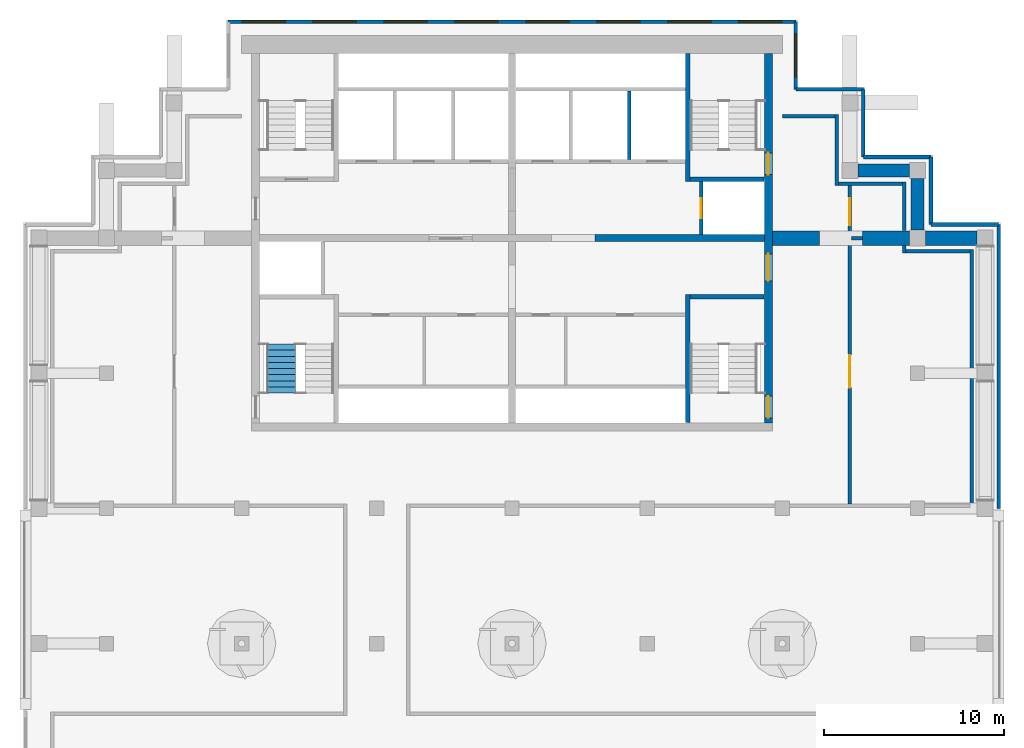
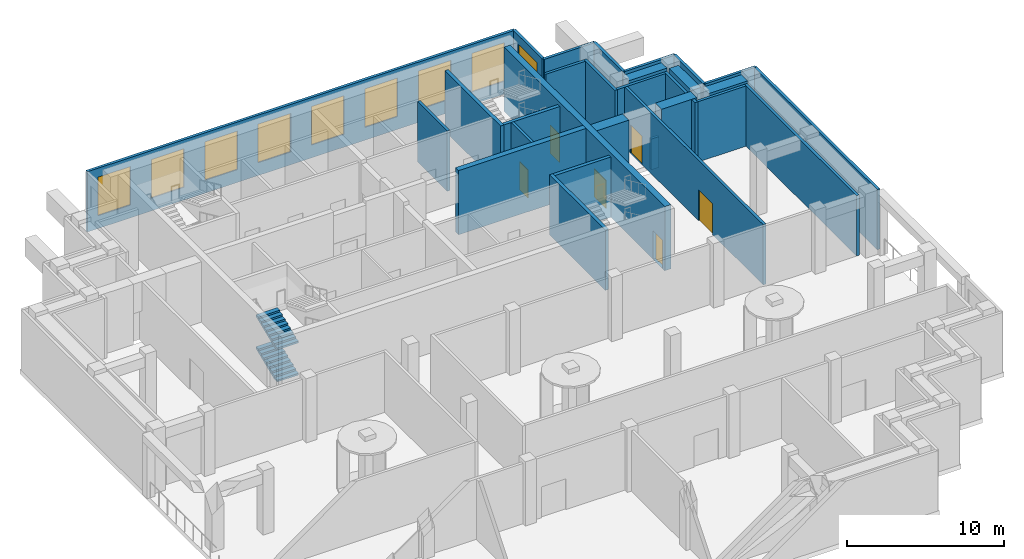
# One storey, part 4 of 8: 30 walls, 9 windows, 6 doors, 2 stair flights, 15 openings, 1 element without a shape of its own.
"""IFC4 building model written with IfcOpenShell, lengths in metres."""

from ifc_helpers import new_model, si_unit, direction, frame, frame_2d, origin, place, context, subcontext, project, spatial, polyline, rectangle, outline, extrude, material, layer, layer_set, type_object, element, fill, aggregate, save


model = new_model("IFC4")

# Units and contexts
model_context = context("Model", 3, precision=1e-05, world=origin(), true_north=direction((0.0, 1.0)))
body_context = subcontext(model_context, "Body", "Model", "MODEL_VIEW")
ifc_project = project(units=[si_unit("LENGTHUNIT", "METRE"), si_unit("AREAUNIT", "SQUARE_METRE"), si_unit("VOLUMEUNIT", "CUBIC_METRE"), si_unit("PLANEANGLEUNIT", "RADIAN"), si_unit("MASSUNIT", "GRAM", prefix="KILO")], contexts=[model_context])

# Site, building, storey
site_placement = place(None, origin())
site = spatial("IfcSite", under=ifc_project, at=site_placement, CompositionType="ELEMENT")
building_placement = place(site_placement, origin())
building = spatial("IfcBuilding", under=site, at=building_placement, Name="Pilkhan Gate Tower", CompositionType="ELEMENT")
storey_placement = place(building_placement, frame((0.0, 0.0, 253.5)))
storey = spatial("IfcBuildingStorey", under=building, at=storey_placement, Name="L66", CompositionType="ELEMENT", Elevation=253.5)

# Walls
ifc_material_1 = material(Name="Concrete C60/75", Category="concrete")
ifc_layer_1 = layer(ifc_material_1, 0.699951171875)
ifc_layer_set_1 = layer_set([ifc_layer_1], Name="Belt wall BW700 C60/75")
wall_type_1 = type_object("IfcWallType", Name="Belt wall BW700 C60/75", PredefinedType="SHEAR", material=ifc_layer_set_1)
for number, where, z_axis, x_axis, name in (
    (1, (94.199951171875, 86.25, 0.0), (0.0, 0.0, 1.0), (1.0, 0.0, 0.0), "Belt wall 20 L66"),
    (2, (97.5, 85.800048828125, 0.0), (0.0, 0.0, 1.0), (0.0, -1.0, 0.0), "Belt wall 21 L66"),
):
    element("IfcWall", number, at=place(storey_placement, frame(where, z_axis=z_axis, x_axis=x_axis)), inside=storey, type_object=wall_type_1, Name=name, PredefinedType="SHEAR", context=body_context, shape_type="SweptSolid", body=[
        extrude(rectangle(XDim=2.85009765625, YDim=0.699951171875, at=frame_2d((1.425048828125, 0.0))), origin(), (0.0, 0.0, 1.0), 4.699951171875),
    ])

# Wall, openings, doors
ifc_material_2 = material(Name="Concrete C50/60", Category="concrete")
ifc_layer_2 = layer(ifc_material_2, 0.449951171875)
ifc_layer_set_2 = layer_set([ifc_layer_2], Name="Core wall CW450 C50/60")
wall_type_2 = type_object("IfcWallType", Name="Core wall CW450 C50/60", PredefinedType="SHEAR", material=ifc_layer_set_2)
wall_1_placement = place(storey_placement, frame((89.22509765625, 72.25, 0.0), z_axis=(0.0, 0.0, 1.0), x_axis=(0.0, 1.0, 0.0)))
wall_1 = element("IfcWall", 3, at=wall_1_placement, inside=storey, type_object=wall_type_2, Name="Core wall E L66", PredefinedType="SHEAR", context=body_context, shape_type="SweptSolid", body=[
    extrude(rectangle(XDim=20.5, YDim=0.449951171875, at=frame_2d((10.25, 0.0))), origin(), (0.0, 0.0, 1.0), 5.0),
])
opening_1_placement = place(wall_1_placement, frame((0.27490234375, 0.0, 0.0)))
opening_1 = element("IfcOpeningElement", 4, at=opening_1_placement, cuts=wall_1, Name="Opening L66-03", PredefinedType="OPENING", context=body_context, shape_type="SweptSolid", body=[
    extrude(rectangle(XDim=1.199951171875, YDim=2.199951171875, at=frame_2d((0.60009765625, 1.10009765625))), frame((0.0, 0.23486328125, 0.0), z_axis=(0.0, -1.0, 0.0), x_axis=(1.0, 0.0, 0.0)), (0.0, 0.0, 1.0), 0.469970703125),
])
opening_2_placement = place(wall_1_placement, frame((13.77490234375, 0.0, 0.0)))
opening_2 = element("IfcOpeningElement", 5, at=opening_2_placement, cuts=wall_1, Name="Opening L66-05", PredefinedType="OPENING", context=body_context, shape_type="SweptSolid", body=[
    extrude(rectangle(XDim=1.199951171875, YDim=2.199951171875, at=frame_2d((0.60009765625, 1.10009765625))), frame((0.0, 0.23486328125, 0.0), z_axis=(0.0, -1.0, 0.0), x_axis=(1.0, 0.0, 0.0)), (0.0, 0.0, 1.0), 0.469970703125),
])
opening_3_placement = place(wall_1_placement, frame((7.875, 0.0, 0.0)))
opening_3 = element("IfcOpeningElement", 6, at=opening_3_placement, cuts=wall_1, Name="Opening L66-08", PredefinedType="OPENING", context=body_context, shape_type="SweptSolid", body=[
    extrude(rectangle(XDim=1.5, YDim=2.199951171875, at=frame_2d((0.75, 1.10009765625))), frame((0.0, 0.23486328125, 0.0), z_axis=(0.0, -1.0, 0.0), x_axis=(1.0, 0.0, 0.0)), (0.0, 0.0, 1.0), 0.469970703125),
])
ifc_material_3 = material(Name="Steel framed glazed door, 60 minute fire resisting", Category="steel")
door_type_1 = type_object("IfcDoorType", Name="Lobby door D09 1500x2200", OperationType="DOUBLE_DOOR_SINGLE_SWING", PredefinedType="DOOR", material=ifc_material_3)
door_1_placement = place(opening_3_placement, origin())
door_1 = element("IfcDoor", 7, at=door_1_placement, inside=storey, type_object=door_type_1, Name="Core door", OperationType="DOUBLE_DOOR_SINGLE_SWING", OverallHeight=2.199951171875, OverallWidth=1.5, PredefinedType="DOOR", context=body_context, shape_type="SweptSolid", body=[
    extrude(rectangle(XDim=1.5, YDim=2.199951171875, at=frame_2d((0.75, 1.10009765625))), frame((0.0, 0.02490234375, 0.0), z_axis=(0.0, -1.0, 0.0), x_axis=(1.0, 0.0, 0.0)), (0.0, 0.0, 1.0), 0.050048828125),
])
fill(opening_3, door_1)
ifc_material_4 = material(Name="Steel door, 120 minute fire resisting, panic bar", Category="steel")
door_type_2 = type_object("IfcDoorType", Name="Stair door D11 1200x2200", OperationType="SINGLE_SWING_LEFT", PredefinedType="DOOR", material=ifc_material_4)
door_2_placement = place(opening_1_placement, origin())
door_2 = element("IfcDoor", 8, at=door_2_placement, inside=storey, type_object=door_type_2, Name="Stair ST1 door", OperationType="SINGLE_SWING_RIGHT", OverallHeight=2.199951171875, OverallWidth=1.199951171875, PredefinedType="DOOR", context=body_context, shape_type="SweptSolid", body=[
    extrude(rectangle(XDim=1.199951171875, YDim=2.199951171875, at=frame_2d((0.60009765625, 1.10009765625))), frame((0.0, 0.02490234375, 0.0), z_axis=(0.0, -1.0, 0.0), x_axis=(1.0, 0.0, 0.0)), (0.0, 0.0, 1.0), 0.050048828125),
])
fill(opening_1, door_2)
door_3_placement = place(opening_2_placement, origin())
door_3 = element("IfcDoor", 9, at=door_3_placement, inside=storey, type_object=door_type_2, Name="Stair ST4 door", OperationType="SINGLE_SWING_LEFT", OverallHeight=2.199951171875, OverallWidth=1.199951171875, PredefinedType="DOOR", context=body_context, shape_type="SweptSolid", body=[
    extrude(rectangle(XDim=1.199951171875, YDim=2.199951171875, at=frame_2d((0.60009765625, 1.10009765625))), frame((0.0, 0.02490234375, 0.0), z_axis=(0.0, -1.0, 0.0), x_axis=(1.0, 0.0, 0.0)), (0.0, 0.0, 1.0), 0.050048828125),
])
fill(opening_2, door_3)

# Walls
ifc_material_5 = material(Name="Dense blockwork", Category="masonry")
ifc_layer_3 = layer(ifc_material_5, 0.199951171875)
ifc_layer_set_3 = layer_set([ifc_layer_3], Name="Lobby wall LW200")
wall_type_3 = type_object("IfcWallType", Name="Lobby wall LW200", PredefinedType="PARTITIONING", material=ifc_layer_set_3)
wall_2_placement = place(storey_placement, frame((96.864990234375, 81.764892578125, 0.0), z_axis=(0.0, 0.0, 1.0), x_axis=(1.0, 0.0, 0.0)))
element("IfcWall", 10, at=wall_2_placement, inside=storey, type_object=wall_type_3, Name="Partition L66", PredefinedType="PARTITIONING", context=body_context, shape_type="SweptSolid", body=[
    extrude(rectangle(XDim=3.550048828125, YDim=0.199951171875, at=frame_2d((1.77490234375, 0.0))), origin(), (0.0, 0.0, 1.0), 4.699951171875),
])
wall_3_placement = place(storey_placement, frame((93.85009765625, 82.5, 0.0), z_axis=(0.0, 0.0, 1.0), x_axis=(1.0, 0.0, 0.0)))
element("IfcWall", 11, at=wall_3_placement, inside=storey, type_object=wall_type_3, Name="Partition L66", PredefinedType="PARTITIONING", context=body_context, shape_type="SweptSolid", body=[
    extrude(rectangle(XDim=0.599853515625, YDim=0.199951171875, at=frame_2d((0.2998046875, 0.0))), origin(), (0.0, 0.0, 1.0), 2.39990234375),
])
wall_4_placement = place(storey_placement, frame((93.114990234375, 85.514892578125, 0.0), z_axis=(0.0, 0.0, 1.0), x_axis=(1.0, 0.0, 0.0)))
element("IfcWall", 12, at=wall_4_placement, inside=storey, type_object=wall_type_3, Name="Partition L66", PredefinedType="PARTITIONING", context=body_context, shape_type="SweptSolid", body=[
    extrude(rectangle(XDim=3.550048828125, YDim=0.199951171875, at=frame_2d((1.77490234375, 0.0))), origin(), (0.0, 0.0, 1.0), 4.699951171875),
])
wall_5_placement = place(storey_placement, frame((90.0, 89.264892578125, 0.0), z_axis=(0.0, 0.0, 1.0), x_axis=(1.0, 0.0, 0.0)))
element("IfcWall", 13, at=wall_5_placement, inside=storey, type_object=wall_type_3, Name="Partition L66", PredefinedType="PARTITIONING", context=body_context, shape_type="SweptSolid", body=[
    extrude(rectangle(XDim=2.9150390625, YDim=0.199951171875, at=frame_2d((1.45751953125, 0.0))), origin(), (0.0, 0.0, 1.0), 4.699951171875),
])
wall_6_placement = place(storey_placement, frame((93.014892578125, 85.4150390625, 0.0), z_axis=(0.0, 0.0, 1.0), x_axis=(0.0, 1.0, 0.0)))
element("IfcWall", 14, at=wall_6_placement, inside=storey, type_object=wall_type_3, Name="Partition L66", PredefinedType="PARTITIONING", context=body_context, shape_type="SweptSolid", body=[
    extrude(rectangle(XDim=3.949951171875, YDim=0.199951171875, at=frame_2d((1.97509765625, 0.0))), origin(), (0.0, 0.0, 1.0), 4.699951171875),
])

# Wall, openings, doors
wall_7_placement = place(storey_placement, frame((93.75, 67.75, 0.0), z_axis=(0.0, 0.0, 1.0), x_axis=(0.0, 1.0, 0.0)))
wall_7 = element("IfcWall", 15, at=wall_7_placement, inside=storey, type_object=wall_type_3, Name="Partition L66", PredefinedType="PARTITIONING", context=body_context, shape_type="SweptSolid", body=[
    extrude(rectangle(XDim=17.6650390625, YDim=0.199951171875, at=frame_2d((8.83251953125, 0.0))), origin(), (0.0, 0.0, 1.0), 4.699951171875),
])
opening_4_placement = place(wall_7_placement, frame((15.449951171875, 0.0, 0.0)))
opening_4 = element("IfcOpeningElement", 16, at=opening_4_placement, cuts=wall_7, Name="Opening L66-07", PredefinedType="OPENING", context=body_context, shape_type="SweptSolid", body=[
    extrude(rectangle(XDim=1.5, YDim=2.199951171875, at=frame_2d((0.75, 1.10009765625))), frame((0.0, 0.10986328125, 0.0), z_axis=(0.0, -1.0, 0.0), x_axis=(1.0, 0.0, 0.0)), (0.0, 0.0, 1.0), 0.219970703125),
])
opening_5_placement = place(wall_7_placement, frame((6.449951171875, 0.0, 0.0)))
opening_5 = element("IfcOpeningElement", 17, at=opening_5_placement, cuts=wall_7, Name="Opening L66-19", PredefinedType="OPENING", context=body_context, shape_type="SweptSolid", body=[
    extrude(rectangle(XDim=1.800048828125, YDim=2.39990234375, at=frame_2d((0.89990234375, 1.199951171875))), frame((0.0, 0.10986328125, 0.0), z_axis=(0.0, -1.0, 0.0), x_axis=(1.0, 0.0, 0.0)), (0.0, 0.0, 1.0), 0.219970703125),
])
door_4_placement = place(opening_4_placement, origin())
door_4 = element("IfcDoor", 18, at=door_4_placement, inside=storey, type_object=door_type_1, Name="Refuge door", OperationType="DOUBLE_DOOR_SINGLE_SWING", OverallHeight=2.199951171875, OverallWidth=1.5, PredefinedType="DOOR", context=body_context, shape_type="SweptSolid", body=[
    extrude(rectangle(XDim=1.5, YDim=2.199951171875, at=frame_2d((0.75, 1.10009765625))), frame((0.0, 0.02490234375, 0.0), z_axis=(0.0, -1.0, 0.0), x_axis=(1.0, 0.0, 0.0)), (0.0, 0.0, 1.0), 0.050048828125),
])
fill(opening_4, door_4)
ifc_material_6 = material(Name="Steel door, 120 minute fire resisting", Category="steel")
door_type_3 = type_object("IfcDoorType", Name="Plant room door D08 1800x2400", OperationType="DOUBLE_DOOR_SINGLE_SWING", PredefinedType="DOOR", material=ifc_material_6)
door_5_placement = place(opening_5_placement, origin())
door_5 = element("IfcDoor", 19, at=door_5_placement, inside=storey, type_object=door_type_3, Name="Plant room door", OperationType="DOUBLE_DOOR_SINGLE_SWING", OverallHeight=2.39990234375, OverallWidth=1.800048828125, PredefinedType="DOOR", context=body_context, shape_type="SweptSolid", body=[
    extrude(rectangle(XDim=1.800048828125, YDim=2.39990234375, at=frame_2d((0.89990234375, 1.199951171875))), frame((0.0, 0.02490234375, 0.0), z_axis=(0.0, -1.0, 0.0), x_axis=(1.0, 0.0, 0.0)), (0.0, 0.0, 1.0), 0.050048828125),
])
fill(opening_5, door_5)

# Walls
wall_8_placement = place(storey_placement, frame((96.764892578125, 81.6650390625, 0.0), z_axis=(0.0, 0.0, 1.0), x_axis=(0.0, 1.0, 0.0)))
element("IfcWall", 20, at=wall_8_placement, inside=storey, type_object=wall_type_3, Name="Partition L66", PredefinedType="PARTITIONING", context=body_context, shape_type="SweptSolid", body=[
    extrude(rectangle(XDim=0.425048828125, YDim=0.199951171875, at=frame_2d((0.21240234375, 0.0))), origin(), (0.0, 0.0, 1.0), 4.699951171875),
])
wall_9_placement = place(storey_placement, frame((96.764892578125, 82.909912109375, 0.0), z_axis=(0.0, 0.0, 1.0), x_axis=(0.0, 1.0, 0.0)))
element("IfcWall", 21, at=wall_9_placement, inside=storey, type_object=wall_type_3, Name="Partition L66", PredefinedType="PARTITIONING", context=body_context, shape_type="SweptSolid", body=[
    extrude(rectangle(XDim=2.705078125, YDim=0.199951171875, at=frame_2d((1.3525390625, 0.0))), origin(), (0.0, 0.0, 1.0), 4.699951171875),
])
wall_10_placement = place(storey_placement, frame((100.514892578125, 67.550048828125, 0.0), z_axis=(0.0, 0.0, 1.0), x_axis=(0.0, 1.0, 0.0)))
element("IfcWall", 22, at=wall_10_placement, inside=storey, type_object=wall_type_3, Name="Partition L66", PredefinedType="PARTITIONING", context=body_context, shape_type="SweptSolid", body=[
    extrude(rectangle(XDim=14.31494140625, YDim=0.199951171875, at=frame_2d((7.157470703125, 0.0))), origin(), (0.0, 0.0, 1.0), 4.699951171875),
])
ifc_layer_4 = layer(ifc_material_1, 0.800048828125)
ifc_layer_set_4 = layer_set([ifc_layer_4], Name="Outrigger wall OW800 C60/75")
wall_type_4 = type_object("IfcWallType", Name="Outrigger wall OW800 C60/75", PredefinedType="SHEAR", material=ifc_layer_set_4)
for number, where, z_axis, x_axis, name in (
    (23, (89.449951171875, 82.5, 0.0), (0.0, 0.0, 1.0), (1.0, 0.0, 0.0), "Outrigger wall 1 L66"),
    (24, (94.449951171875, 82.5, 0.0), (0.0, 0.0, 1.0), (1.0, 0.0, 0.0), "Outrigger wall 2 L66"),
):
    element("IfcWall", number, at=place(storey_placement, frame(where, z_axis=z_axis, x_axis=x_axis)), inside=storey, type_object=wall_type_4, Name=name, PredefinedType="SHEAR", context=body_context, shape_type="SweptSolid", body=[
        extrude(rectangle(XDim=2.60009765625, YDim=0.800048828125, at=frame_2d((1.300048828125, 0.0))), origin(), (0.0, 0.0, 1.0), 4.699951171875),
    ])
wall_11_placement = place(storey_placement, frame((97.949951171875, 82.5, 0.0), z_axis=(0.0, 0.0, 1.0), x_axis=(1.0, 0.0, 0.0)))
element("IfcWall", 25, at=wall_11_placement, inside=storey, type_object=wall_type_4, Name="Outrigger wall 3 L66", PredefinedType="SHEAR", context=body_context, shape_type="SweptSolid", body=[
    extrude(rectangle(XDim=2.85009765625, YDim=0.800048828125, at=frame_2d((1.425048828125, 0.0))), origin(), (0.0, 0.0, 1.0), 4.699951171875),
])
ifc_material_7 = material(Name="Pale anodised aluminium cladding", Category="aluminium")
ifc_layer_5 = layer(ifc_material_7, 0.199951171875)
ifc_layer_set_5 = layer_set([ifc_layer_5], Name="Plant screen wall PS200")
wall_type_5 = type_object("IfcWallType", Name="Plant screen wall PS200", PredefinedType="SOLIDWALL", material=ifc_layer_set_5)
wall_12_placement = place(storey_placement, frame((102.0, 67.5, 0.0), z_axis=(0.0, 0.0, 1.0), x_axis=(0.0, 1.0, 0.0)))
element("IfcWall", 26, at=wall_12_placement, inside=storey, type_object=wall_type_5, Name="Plant screen wall L66 E", PredefinedType="SOLIDWALL", context=body_context, shape_type="SweptSolid", body=[
    extrude(rectangle(XDim=15.75, YDim=0.199951171875, at=frame_2d((7.875, 0.0))), origin(), (0.0, 0.0, 1.0), 4.699951171875),
])
for number, where, z_axis, x_axis, name in (
    (27, (98.25, 83.25, 0.0), (0.0, 0.0, 1.0), (1.0, 0.0, 0.0), "Plant screen wall L66 N"),
    (28, (98.25, 83.25, 0.0), (0.0, 0.0, 1.0), (0.0, 1.0, 0.0), "Plant screen wall L66 E"),
    (29, (94.5, 87.0, 0.0), (0.0, 0.0, 1.0), (1.0, 0.0, 0.0), "Plant screen wall L66 N"),
    (30, (94.5, 87.0, 0.0), (0.0, 0.0, 1.0), (0.0, 1.0, 0.0), "Plant screen wall L66 E"),
    (31, (90.75, 90.75, 0.0), (0.0, 0.0, 1.0), (1.0, 0.0, 0.0), "Plant screen wall L66 N"),
):
    element("IfcWall", number, at=place(storey_placement, frame(where, z_axis=z_axis, x_axis=x_axis)), inside=storey, type_object=wall_type_5, Name=name, PredefinedType="SOLIDWALL", context=body_context, shape_type="SweptSolid", body=[
        extrude(rectangle(XDim=3.75, YDim=0.199951171875, at=frame_2d((1.875, 0.0))), origin(), (0.0, 0.0, 1.0), 4.699951171875),
    ])

# Wall, opening, window
wall_13_placement = place(storey_placement, frame((90.75, 90.75, 0.0), z_axis=(0.0, 0.0, 1.0), x_axis=(0.0, 1.0, 0.0)))
wall_13 = element("IfcWall", 32, at=wall_13_placement, inside=storey, type_object=wall_type_5, Name="Plant screen wall L66 E", PredefinedType="SOLIDWALL", context=body_context, shape_type="SweptSolid", body=[
    extrude(rectangle(XDim=3.75, YDim=0.199951171875, at=frame_2d((1.875, 0.0))), origin(), (0.0, 0.0, 1.0), 4.699951171875),
])
opening_6_placement = place(wall_13_placement, frame((0.675048828125, 0.0, 1.0)))
opening_6 = element("IfcOpeningElement", 33, at=opening_6_placement, cuts=wall_13, Name="Opening WL1", PredefinedType="OPENING", context=body_context, shape_type="SweptSolid", body=[
    extrude(rectangle(XDim=2.39990234375, YDim=3.0, at=frame_2d((1.199951171875, 1.5))), frame((0.0, 0.10986328125, 0.0), z_axis=(0.0, -1.0, 0.0), x_axis=(1.0, 0.0, 0.0)), (0.0, 0.0, 1.0), 0.219970703125),
])
ifc_material_8 = material(Name="Pale anodised aluminium storm louvre, bird mesh", Category="aluminium")
window_type = type_object("IfcWindowType", Name="Plant louvre WL1 2400x3000", PartitioningType="SINGLE_PANEL", PredefinedType="USERDEFINED", material=ifc_material_8)
window_1_placement = place(opening_6_placement, origin())
window_1 = element("IfcWindow", 34, at=window_1_placement, inside=storey, type_object=window_type, Name="Louvre L66", ObjectType="LOUVRE", OverallHeight=3.0, OverallWidth=2.39990234375, PartitioningType="SINGLE_PANEL", PredefinedType="USERDEFINED", context=body_context, shape_type="SweptSolid", body=[
    extrude(rectangle(XDim=2.39990234375, YDim=3.0, at=frame_2d((1.199951171875, 1.5))), frame((0.0, 0.030029296875, 0.0), z_axis=(0.0, -1.0, 0.0), x_axis=(1.0, 0.0, 0.0)), (0.0, 0.0, 1.0), 0.06005859375),
])
fill(opening_6, window_1)

# Wall, openings, windows
wall_14_placement = place(storey_placement, frame((59.25, 94.5, 0.0), z_axis=(0.0, 0.0, 1.0), x_axis=(1.0, 0.0, 0.0)))
wall_14 = element("IfcWall", 35, at=wall_14_placement, inside=storey, type_object=wall_type_5, Name="Plant screen wall L66 N", PredefinedType="SOLIDWALL", context=body_context, shape_type="SweptSolid", body=[
    extrude(rectangle(XDim=31.5, YDim=0.199951171875, at=frame_2d((15.75, 0.0))), origin(), (0.0, 0.0, 1.0), 4.699951171875),
])
opening_7_placement = place(wall_14_placement, frame((0.768798828125, 0.0, 1.0)))
opening_7 = element("IfcOpeningElement", 36, at=opening_7_placement, cuts=wall_14, Name="Opening WL1", PredefinedType="OPENING", context=body_context, shape_type="SweptSolid", body=[
    extrude(rectangle(XDim=2.39990234375, YDim=3.0, at=frame_2d((1.199951171875, 1.5))), frame((0.0, 0.10986328125, 0.0), z_axis=(0.0, -1.0, 0.0), x_axis=(1.0, 0.0, 0.0)), (0.0, 0.0, 1.0), 0.219970703125),
])
opening_8_placement = place(wall_14_placement, frame((4.706298828125, 0.0, 1.0)))
opening_8 = element("IfcOpeningElement", 37, at=opening_8_placement, cuts=wall_14, Name="Opening WL1", PredefinedType="OPENING", context=body_context, shape_type="SweptSolid", body=[
    extrude(rectangle(XDim=2.39990234375, YDim=3.0, at=frame_2d((1.199951171875, 1.5))), frame((0.0, 0.10986328125, 0.0), z_axis=(0.0, -1.0, 0.0), x_axis=(1.0, 0.0, 0.0)), (0.0, 0.0, 1.0), 0.219970703125),
])
opening_9_placement = place(wall_14_placement, frame((8.643798828125, 0.0, 1.0)))
opening_9 = element("IfcOpeningElement", 38, at=opening_9_placement, cuts=wall_14, Name="Opening WL1", PredefinedType="OPENING", context=body_context, shape_type="SweptSolid", body=[
    extrude(rectangle(XDim=2.39990234375, YDim=3.0, at=frame_2d((1.199951171875, 1.5))), frame((0.0, 0.10986328125, 0.0), z_axis=(0.0, -1.0, 0.0), x_axis=(1.0, 0.0, 0.0)), (0.0, 0.0, 1.0), 0.219970703125),
])
opening_10_placement = place(wall_14_placement, frame((12.581298828125, 0.0, 1.0)))
opening_10 = element("IfcOpeningElement", 39, at=opening_10_placement, cuts=wall_14, Name="Opening WL1", PredefinedType="OPENING", context=body_context, shape_type="SweptSolid", body=[
    extrude(rectangle(XDim=2.39990234375, YDim=3.0, at=frame_2d((1.199951171875, 1.5))), frame((0.0, 0.10986328125, 0.0), z_axis=(0.0, -1.0, 0.0), x_axis=(1.0, 0.0, 0.0)), (0.0, 0.0, 1.0), 0.219970703125),
])
opening_11_placement = place(wall_14_placement, frame((16.518798828125, 0.0, 1.0)))
opening_11 = element("IfcOpeningElement", 40, at=opening_11_placement, cuts=wall_14, Name="Opening WL1", PredefinedType="OPENING", context=body_context, shape_type="SweptSolid", body=[
    extrude(rectangle(XDim=2.39990234375, YDim=3.0, at=frame_2d((1.199951171875, 1.5))), frame((0.0, 0.10986328125, 0.0), z_axis=(0.0, -1.0, 0.0), x_axis=(1.0, 0.0, 0.0)), (0.0, 0.0, 1.0), 0.219970703125),
])
opening_12_placement = place(wall_14_placement, frame((20.456298828125, 0.0, 1.0)))
opening_12 = element("IfcOpeningElement", 41, at=opening_12_placement, cuts=wall_14, Name="Opening WL1", PredefinedType="OPENING", context=body_context, shape_type="SweptSolid", body=[
    extrude(rectangle(XDim=2.39990234375, YDim=3.0, at=frame_2d((1.199951171875, 1.5))), frame((0.0, 0.10986328125, 0.0), z_axis=(0.0, -1.0, 0.0), x_axis=(1.0, 0.0, 0.0)), (0.0, 0.0, 1.0), 0.219970703125),
])
opening_13_placement = place(wall_14_placement, frame((24.393798828125, 0.0, 1.0)))
opening_13 = element("IfcOpeningElement", 42, at=opening_13_placement, cuts=wall_14, Name="Opening WL1", PredefinedType="OPENING", context=body_context, shape_type="SweptSolid", body=[
    extrude(rectangle(XDim=2.39990234375, YDim=3.0, at=frame_2d((1.199951171875, 1.5))), frame((0.0, 0.10986328125, 0.0), z_axis=(0.0, -1.0, 0.0), x_axis=(1.0, 0.0, 0.0)), (0.0, 0.0, 1.0), 0.219970703125),
])
opening_14_placement = place(wall_14_placement, frame((28.331298828125, 0.0, 1.0)))
opening_14 = element("IfcOpeningElement", 43, at=opening_14_placement, cuts=wall_14, Name="Opening WL1", PredefinedType="OPENING", context=body_context, shape_type="SweptSolid", body=[
    extrude(rectangle(XDim=2.39990234375, YDim=3.0, at=frame_2d((1.199951171875, 1.5))), frame((0.0, 0.10986328125, 0.0), z_axis=(0.0, -1.0, 0.0), x_axis=(1.0, 0.0, 0.0)), (0.0, 0.0, 1.0), 0.219970703125),
])
window_2_placement = place(opening_7_placement, origin())
window_2 = element("IfcWindow", 44, at=window_2_placement, inside=storey, type_object=window_type, Name="Louvre L66", ObjectType="LOUVRE", OverallHeight=3.0, OverallWidth=2.39990234375, PartitioningType="SINGLE_PANEL", PredefinedType="USERDEFINED", context=body_context, shape_type="SweptSolid", body=[
    extrude(rectangle(XDim=2.39990234375, YDim=3.0, at=frame_2d((1.199951171875, 1.5))), frame((0.0, 0.030029296875, 0.0), z_axis=(0.0, -1.0, 0.0), x_axis=(1.0, 0.0, 0.0)), (0.0, 0.0, 1.0), 0.06005859375),
])
fill(opening_7, window_2)
window_3_placement = place(opening_8_placement, origin())
window_3 = element("IfcWindow", 45, at=window_3_placement, inside=storey, type_object=window_type, Name="Louvre L66", ObjectType="LOUVRE", OverallHeight=3.0, OverallWidth=2.39990234375, PartitioningType="SINGLE_PANEL", PredefinedType="USERDEFINED", context=body_context, shape_type="SweptSolid", body=[
    extrude(rectangle(XDim=2.39990234375, YDim=3.0, at=frame_2d((1.199951171875, 1.5))), frame((0.0, 0.030029296875, 0.0), z_axis=(0.0, -1.0, 0.0), x_axis=(1.0, 0.0, 0.0)), (0.0, 0.0, 1.0), 0.06005859375),
])
fill(opening_8, window_3)
window_4_placement = place(opening_9_placement, origin())
window_4 = element("IfcWindow", 46, at=window_4_placement, inside=storey, type_object=window_type, Name="Louvre L66", ObjectType="LOUVRE", OverallHeight=3.0, OverallWidth=2.39990234375, PartitioningType="SINGLE_PANEL", PredefinedType="USERDEFINED", context=body_context, shape_type="SweptSolid", body=[
    extrude(rectangle(XDim=2.39990234375, YDim=3.0, at=frame_2d((1.199951171875, 1.5))), frame((0.0, 0.030029296875, 0.0), z_axis=(0.0, -1.0, 0.0), x_axis=(1.0, 0.0, 0.0)), (0.0, 0.0, 1.0), 0.06005859375),
])
fill(opening_9, window_4)
window_5_placement = place(opening_10_placement, origin())
window_5 = element("IfcWindow", 47, at=window_5_placement, inside=storey, type_object=window_type, Name="Louvre L66", ObjectType="LOUVRE", OverallHeight=3.0, OverallWidth=2.39990234375, PartitioningType="SINGLE_PANEL", PredefinedType="USERDEFINED", context=body_context, shape_type="SweptSolid", body=[
    extrude(rectangle(XDim=2.39990234375, YDim=3.0, at=frame_2d((1.199951171875, 1.5))), frame((0.0, 0.030029296875, 0.0), z_axis=(0.0, -1.0, 0.0), x_axis=(1.0, 0.0, 0.0)), (0.0, 0.0, 1.0), 0.06005859375),
])
fill(opening_10, window_5)
window_6_placement = place(opening_11_placement, origin())
window_6 = element("IfcWindow", 48, at=window_6_placement, inside=storey, type_object=window_type, Name="Louvre L66", ObjectType="LOUVRE", OverallHeight=3.0, OverallWidth=2.39990234375, PartitioningType="SINGLE_PANEL", PredefinedType="USERDEFINED", context=body_context, shape_type="SweptSolid", body=[
    extrude(rectangle(XDim=2.39990234375, YDim=3.0, at=frame_2d((1.199951171875, 1.5))), frame((0.0, 0.030029296875, 0.0), z_axis=(0.0, -1.0, 0.0), x_axis=(1.0, 0.0, 0.0)), (0.0, 0.0, 1.0), 0.06005859375),
])
fill(opening_11, window_6)
window_7_placement = place(opening_12_placement, origin())
window_7 = element("IfcWindow", 49, at=window_7_placement, inside=storey, type_object=window_type, Name="Louvre L66", ObjectType="LOUVRE", OverallHeight=3.0, OverallWidth=2.39990234375, PartitioningType="SINGLE_PANEL", PredefinedType="USERDEFINED", context=body_context, shape_type="SweptSolid", body=[
    extrude(rectangle(XDim=2.39990234375, YDim=3.0, at=frame_2d((1.199951171875, 1.5))), frame((0.0, 0.030029296875, 0.0), z_axis=(0.0, -1.0, 0.0), x_axis=(1.0, 0.0, 0.0)), (0.0, 0.0, 1.0), 0.06005859375),
])
fill(opening_12, window_7)
window_8_placement = place(opening_13_placement, origin())
window_8 = element("IfcWindow", 50, at=window_8_placement, inside=storey, type_object=window_type, Name="Louvre L66", ObjectType="LOUVRE", OverallHeight=3.0, OverallWidth=2.39990234375, PartitioningType="SINGLE_PANEL", PredefinedType="USERDEFINED", context=body_context, shape_type="SweptSolid", body=[
    extrude(rectangle(XDim=2.39990234375, YDim=3.0, at=frame_2d((1.199951171875, 1.5))), frame((0.0, 0.030029296875, 0.0), z_axis=(0.0, -1.0, 0.0), x_axis=(1.0, 0.0, 0.0)), (0.0, 0.0, 1.0), 0.06005859375),
])
fill(opening_13, window_8)
window_9_placement = place(opening_14_placement, origin())
window_9 = element("IfcWindow", 51, at=window_9_placement, inside=storey, type_object=window_type, Name="Louvre L66", ObjectType="LOUVRE", OverallHeight=3.0, OverallWidth=2.39990234375, PartitioningType="SINGLE_PANEL", PredefinedType="USERDEFINED", context=body_context, shape_type="SweptSolid", body=[
    extrude(rectangle(XDim=2.39990234375, YDim=3.0, at=frame_2d((1.199951171875, 1.5))), frame((0.0, 0.030029296875, 0.0), z_axis=(0.0, -1.0, 0.0), x_axis=(1.0, 0.0, 0.0)), (0.0, 0.0, 1.0), 0.06005859375),
])
fill(opening_14, window_9)

# Wall
ifc_material_9 = material(Name="Reinforced blockwork shaft wall, 120 minute fire resisting", Category="masonry")
ifc_layer_6 = layer(ifc_material_9, 0.199951171875)
ifc_layer_set_6 = layer_set([ifc_layer_6], Name="Shaft wall SW200")
wall_type_6 = type_object("IfcWallType", Name="Shaft wall SW200", PredefinedType="PARTITIONING", material=ifc_layer_set_6)
wall_15_placement = place(storey_placement, frame((81.5, 86.85009765625, 0.0), z_axis=(0.0, 0.0, 1.0), x_axis=(0.0, 1.0, 0.0)))
element("IfcWall", 52, at=wall_15_placement, inside=storey, type_object=wall_type_6, Name="Partition L66", PredefinedType="PARTITIONING", context=body_context, shape_type="SweptSolid", body=[
    extrude(rectangle(XDim=3.7998046875, YDim=0.199951171875, at=frame_2d((1.89990234375, 0.0))), origin(), (0.0, 0.0, 1.0), 4.699951171875),
])

# Wall, opening, door
wall_16_placement = place(storey_placement, frame((85.5, 82.7099609375, 0.0), z_axis=(0.0, 0.0, 1.0), x_axis=(0.0, 1.0, 0.0)))
wall_16 = element("IfcWall", 53, at=wall_16_placement, inside=storey, type_object=wall_type_6, Name="Partition L66", PredefinedType="PARTITIONING", context=body_context, shape_type="SweptSolid", body=[
    extrude(rectangle(XDim=2.9150390625, YDim=0.199951171875, at=frame_2d((1.45751953125, 0.0))), origin(), (0.0, 0.0, 1.0), 4.699951171875),
])
opening_15_placement = place(wall_16_placement, frame((0.89990234375, 0.0, 0.0)))
opening_15 = element("IfcOpeningElement", 54, at=opening_15_placement, cuts=wall_16, Name="Opening LD", PredefinedType="OPENING", context=body_context, shape_type="SweptSolid", body=[
    extrude(rectangle(XDim=1.10009765625, YDim=2.199951171875, at=frame_2d((0.550048828125, 1.10009765625))), frame((0.0, 0.10986328125, 0.0), z_axis=(0.0, -1.0, 0.0), x_axis=(1.0, 0.0, 0.0)), (0.0, 0.0, 1.0), 0.219970703125),
])
ifc_material_10 = material(Name="Stainless steel centre-opening landing door, 120 minute fire resisting", Category="steel")
door_type_4 = type_object("IfcDoorType", Name="Lift landing door LD 1100x2200", OperationType="DOUBLE_DOOR_SLIDING", PredefinedType="DOOR", material=ifc_material_10)
door_6_placement = place(opening_15_placement, origin())
door_6 = element("IfcDoor", 55, at=door_6_placement, inside=storey, type_object=door_type_4, Name="Landing door HR4", OperationType="DOUBLE_DOOR_SLIDING", OverallHeight=2.199951171875, OverallWidth=1.10009765625, PredefinedType="DOOR", context=body_context, shape_type="SweptSolid", body=[
    extrude(rectangle(XDim=1.10009765625, YDim=2.199951171875, at=frame_2d((0.550048828125, 1.10009765625))), frame((0.0, 0.02490234375, 0.0), z_axis=(0.0, -1.0, 0.0), x_axis=(1.0, 0.0, 0.0)), (0.0, 0.0, 1.0), 0.050048828125),
])
fill(opening_15, door_6)

# Walls
ifc_layer_7 = layer(ifc_material_2, 0.39990234375)
ifc_layer_set_7 = layer_set([ifc_layer_7], Name="Spine wall SW400 C50/60")
wall_type_7 = type_object("IfcWallType", Name="Spine wall SW400 C50/60", PredefinedType="SHEAR", material=ifc_layer_set_7)
wall_17_placement = place(storey_placement, frame((79.60009765625, 82.5, 0.0), z_axis=(0.0, 0.0, 1.0), x_axis=(1.0, 0.0, 0.0)))
element("IfcWall", 56, at=wall_17_placement, inside=storey, type_object=wall_type_7, Name="Spine wall SP-EW3 L66", PredefinedType="SHEAR", context=body_context, shape_type="SweptSolid", body=[
    extrude(rectangle(XDim=9.39990234375, YDim=0.39990234375, at=frame_2d((4.699951171875, 0.0))), origin(), (0.0, 0.0, 1.0), 5.0),
])
ifc_material_11 = material(Name="Reinforced blockwork, 120 minute fire resisting", Category="masonry")
ifc_layer_8 = layer(ifc_material_11, 0.25)
ifc_layer_set_8 = layer_set([ifc_layer_8], Name="Stair enclosure wall SE250")
wall_type_8 = type_object("IfcWallType", Name="Stair enclosure wall SE250", PredefinedType="PARTITIONING", material=ifc_layer_set_8)
for number, where, z_axis, x_axis, name in (
    (57, (84.875, 79.25, 0.0), (0.0, 0.0, 1.0), (1.0, 0.0, 0.0), "Partition L66"),
    (58, (84.875, 85.75, 0.0), (0.0, 0.0, 1.0), (1.0, 0.0, 0.0), "Partition L66"),
):
    element("IfcWall", number, at=place(storey_placement, frame(where, z_axis=z_axis, x_axis=x_axis)), inside=storey, type_object=wall_type_8, Name=name, PredefinedType="PARTITIONING", context=body_context, shape_type="SweptSolid", body=[
        extrude(rectangle(XDim=4.114990234375, YDim=0.25, at=frame_2d((2.0576171875, 0.0))), origin(), (0.0, 0.0, 1.0), 4.699951171875),
    ])
for number, where, z_axis, x_axis, name in (
    (59, (84.75, 72.260009765625, 0.0), (0.0, 0.0, 1.0), (0.0, 1.0, 0.0), "Partition L66"),
    (60, (84.75, 85.625, 0.0), (0.0, 0.0, 1.0), (0.0, 1.0, 0.0), "Partition L66"),
):
    element("IfcWall", number, at=place(storey_placement, frame(where, z_axis=z_axis, x_axis=x_axis)), inside=storey, type_object=wall_type_8, Name=name, PredefinedType="PARTITIONING", context=body_context, shape_type="SweptSolid", body=[
        extrude(rectangle(XDim=7.114990234375, YDim=0.25, at=frame_2d((3.5576171875, 0.0))), origin(), (0.0, 0.0, 1.0), 4.699951171875),
    ])

# Stair, stair flights
ifc_material_12 = material(Name="Concrete C40/50 precast", Category="concrete")
stair_type = type_object("IfcStairType", Name="Stair ST2 139x340", PredefinedType="HALF_TURN_STAIR", material=ifc_material_12)
stair_placement = place(storey_placement, origin())
stair = element("IfcStair", 61, at=stair_placement, inside=storey, type_object=stair_type, Name="Stair ST2 L66", PredefinedType="HALF_TURN_STAIR")
stair_flight_type = type_object("IfcStairFlightType", Name="Stair flight ST2 139x340x9", PredefinedType="STRAIGHT", material=ifc_material_12)
stair_flight_1_placement = place(storey_placement, frame((62.18994140625, 73.89990234375, 0.0), z_axis=(0.0, 0.0, 1.0), x_axis=(0.0, 1.0, 0.0)))
stair_flight_1 = element("IfcStairFlight", 62, at=stair_flight_1_placement, type_object=stair_flight_type, Name="ST2 flight 1", NumberOfRisers=9, NumberOfTreads=8, PredefinedType="STRAIGHT", RiserHeight=0.138888889, TreadLength=0.34, context=body_context, shape_type="SweptSolid", body=[
    extrude(outline(polyline([(0.0, 0.0), (0.0, 0.138916015625), (0.340087890625, 0.138916015625), (0.340087890625, 0.27783203125), (0.679931640625, 0.27783203125), (0.679931640625, 0.416748046875), (1.02001953125, 0.416748046875), (1.02001953125, 0.5556640625), (1.360107421875, 0.5556640625), (1.360107421875, 0.6943359375), (1.699951171875, 0.6943359375), (1.699951171875, 0.833251953125), (2.0400390625, 0.833251953125), (2.0400390625, 0.97216796875), (2.3798828125, 0.97216796875), (2.3798828125, 1.111083984375), (2.719970703125, 1.111083984375), (2.719970703125, 1.25), (2.719970703125, 0.94921875), (0.396484375, 0.0), (0.0, 0.0)])), frame((0.0, 0.7900390625, 0.0), z_axis=(0.0, -1.0, 0.0), x_axis=(1.0, 0.0, 0.0)), (0.0, 0.0, 1.0), 1.580078125),
])
stair_flight_2_placement = place(storey_placement, frame((62.18994140625, 73.89990234375, 2.5), z_axis=(0.0, 0.0, 1.0), x_axis=(0.0, 1.0, 0.0)))
stair_flight_2 = element("IfcStairFlight", 63, at=stair_flight_2_placement, type_object=stair_flight_type, Name="ST2 flight 3", NumberOfRisers=9, NumberOfTreads=8, PredefinedType="STRAIGHT", RiserHeight=0.138888889, TreadLength=0.34, context=body_context, shape_type="SweptSolid", body=[
    extrude(outline(polyline([(0.0, 0.0), (0.0, 0.138916015625), (0.340087890625, 0.138916015625), (0.340087890625, 0.27783203125), (0.679931640625, 0.27783203125), (0.679931640625, 0.416748046875), (1.02001953125, 0.416748046875), (1.02001953125, 0.5556640625), (1.360107421875, 0.5556640625), (1.360107421875, 0.6943359375), (1.699951171875, 0.6943359375), (1.699951171875, 0.833251953125), (2.0400390625, 0.833251953125), (2.0400390625, 0.97216796875), (2.3798828125, 0.97216796875), (2.3798828125, 1.111083984375), (2.719970703125, 1.111083984375), (2.719970703125, 1.25), (2.719970703125, 0.94921875), (0.396484375, 0.0), (0.0, 0.0)])), frame((0.0, 0.7900390625, 0.0), z_axis=(0.0, -1.0, 0.0), x_axis=(1.0, 0.0, 0.0)), (0.0, 0.0, 1.0), 1.580078125),
])
aggregate(stair, [stair_flight_1, stair_flight_2])

save(model, "model.ifc")
